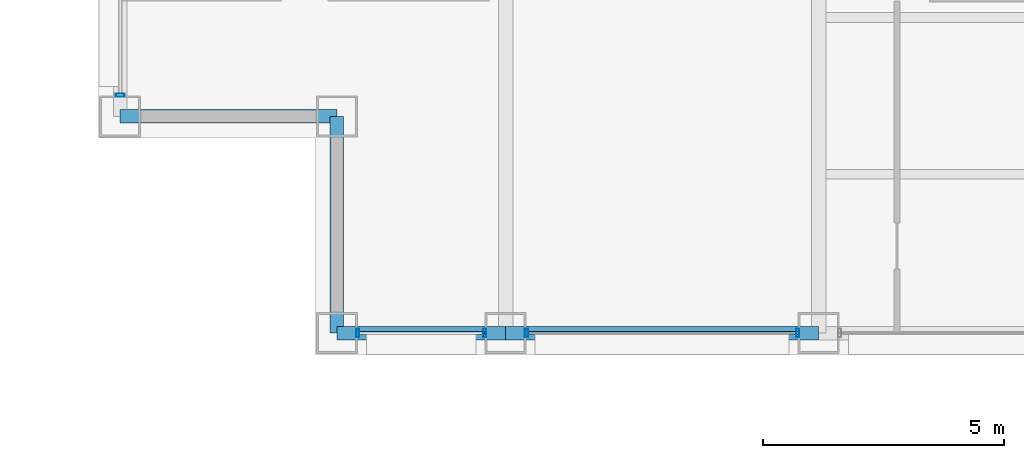
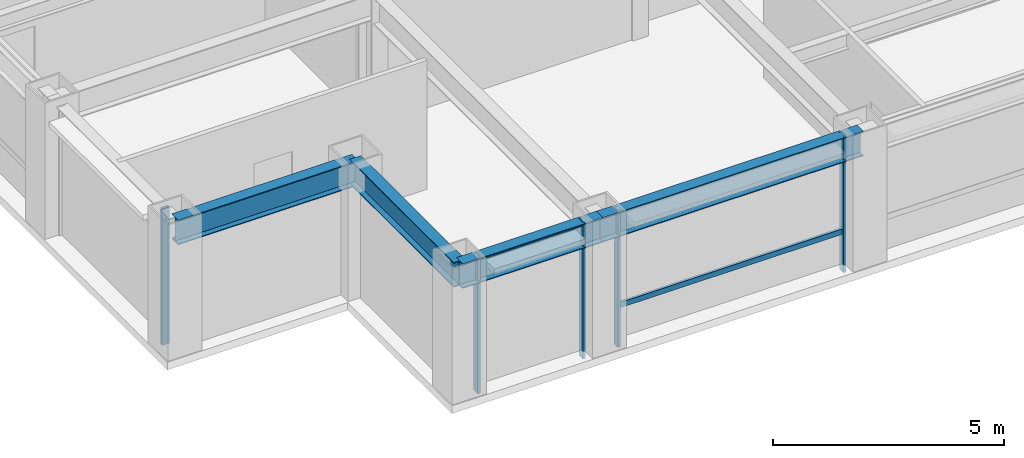
# One storey, part 2 of 31: 7 members, 4 beams, 3 elements without a shape of their own.
"""IFC4 building model written with IfcOpenShell, lengths in metres."""

from ifc_helpers import new_model, si_unit, direction, frame, origin, origin_2d, place, context, subcontext, project, spatial, hollow_rectangle, i_section, extrude, material, layer, layer_set, material_profile, profile_set, type_object, element, aggregate, save


model = new_model("IFC4")

# Units and contexts
model_context = context("Model", 3, precision=1e-05, world=origin(), true_north=direction((0.0, 1.0)))
body_context = subcontext(model_context, "Body", "Model", "MODEL_VIEW")
ifc_project = project(units=[si_unit("LENGTHUNIT", "METRE"), si_unit("AREAUNIT", "SQUARE_METRE"), si_unit("VOLUMEUNIT", "CUBIC_METRE"), si_unit("PLANEANGLEUNIT", "RADIAN"), si_unit("MASSUNIT", "GRAM", prefix="KILO")], contexts=[model_context])

# Site, building, storey
site_placement = place(None, origin())
site = spatial("IfcSite", under=ifc_project, at=site_placement, CompositionType="ELEMENT")
building_placement = place(site_placement, origin())
building = spatial("IfcBuilding", under=site, at=building_placement, Name="Brelmoor Portico Tower", CompositionType="ELEMENT")
storey_placement = place(building_placement, frame((0.0, 0.0, 113.39990234375)))
storey = spatial("IfcBuildingStorey", under=building, at=storey_placement, Name="L29", CompositionType="ELEMENT", Elevation=113.39990234375)

# Beams
ifc_material_1 = material(Name="Steel Q355B", Category="steel")
ifc_material_profile_1 = material_profile(ifc_material_1, i_section(OverallWidth=0.280029296875, OverallDepth=0.64990234375, WebThickness=0.012939453125, FlangeThickness=0.02197265625, at=origin_2d()), Name="HN 650x280x13x22")
ifc_profile_set_1 = profile_set([ifc_material_profile_1], Name="Steel Q355B")
beam_type = type_object("IfcBeamType", Name="BM-SP-650", PredefinedType="SPANDREL", material=ifc_profile_set_1)
beam_1_placement = place(storey_placement, frame((-18.050048828125, -19.550048828125, 3.0751953125), z_axis=(1.0, 0.0, 0.0), x_axis=(0.0, 1.0, 0.0)))
element("IfcBeam", 1, at=beam_1_placement, inside=storey, type_object=beam_type, Name="L29 Perimeter Spandrel Beam SP-01", PredefinedType="SPANDREL", context=body_context, shape_type="SweptSolid", body=[
    extrude(i_section(OverallWidth=0.280029296875, OverallDepth=0.64990234375, WebThickness=0.012939453125, FlangeThickness=0.02197265625, at=origin_2d()), origin(), (0.0, 0.0, 1.0), 3.5),
])
beam_2_placement = place(storey_placement, frame((-14.550048828125, -19.550048828125, 3.0751953125), z_axis=(1.0, 0.0, 0.0), x_axis=(0.0, 1.0, 0.0)))
element("IfcBeam", 2, at=beam_2_placement, inside=storey, type_object=beam_type, Name="L29 Perimeter Spandrel Beam SP-02", PredefinedType="SPANDREL", context=body_context, shape_type="SweptSolid", body=[
    extrude(i_section(OverallWidth=0.280029296875, OverallDepth=0.64990234375, WebThickness=0.012939453125, FlangeThickness=0.02197265625, at=origin_2d()), origin(), (0.0, 0.0, 1.0), 6.5),
])
for number, where, z_axis, x_axis, name in (
    (3, (-22.550048828125, -15.050048828125, 3.0751953125), (1.0, 0.0, 0.0), (0.0, 1.0, 0.0), "L29 Perimeter Spandrel Beam SP-06"),
    (4, (-18.050048828125, -19.550048828125, 3.0751953125), (0.0, 1.0, 0.0), (-1.0, 0.0, 0.0), "L29 Perimeter Spandrel Beam SP-18"),
):
    element("IfcBeam", number, at=place(storey_placement, frame(where, z_axis=z_axis, x_axis=x_axis)), inside=storey, type_object=beam_type, Name=name, PredefinedType="SPANDREL", context=body_context, shape_type="SweptSolid", body=[
        extrude(i_section(OverallWidth=0.280029296875, OverallDepth=0.64990234375, WebThickness=0.012939453125, FlangeThickness=0.02197265625, at=origin_2d()), origin(), (0.0, 0.0, 1.0), 4.5),
    ])

# Curtain wall, members
ifc_material_2 = material(Name="Anodised Aluminium Alloy 6063-T6", Category="aluminium")
ifc_layer_1 = layer(ifc_material_2, 0.179931640625)
ifc_layer_set_1 = layer_set([ifc_layer_1], Name="Anodised Aluminium Alloy 6063-T6")
curtain_wall_type_1 = type_object("IfcCurtainWallType", Name="CW-TOWER-Z2-XB", PredefinedType="NOTDEFINED", material=ifc_layer_set_1)
curtain_wall_1_placement = place(storey_placement, origin())
curtain_wall_1 = element("IfcCurtainWall", 5, at=curtain_wall_1_placement, inside=storey, type_object=curtain_wall_type_1, Name="L29 Curtain Wall CW-L29-1L-1", PredefinedType="NOTDEFINED")
ifc_material_profile_2 = material_profile(ifc_material_2, hollow_rectangle(XDim=0.06494140625, YDim=0.179931640625, WallThickness=0.00390625, at=origin_2d()), Name="ALU MULLION 65x180")
ifc_profile_set_2 = profile_set([ifc_material_profile_2], Name="Anodised Aluminium Alloy 6063-T6")
member_type_1 = type_object("IfcMemberType", Name="MB-CW-MULL-180", PredefinedType="MULLION", material=ifc_profile_set_2)
member_1_placement = place(storey_placement, frame((-17.614990234375, -19.550048828125, -0.199951171875), z_axis=(0.0, 0.0, 1.0), x_axis=(1.0, 0.0, 0.0)))
member_1 = element("IfcMember", 6, at=member_1_placement, type_object=member_type_1, Name="CW-L29-1L-1 Mullion 00", PredefinedType="MULLION", context=body_context, shape_type="SweptSolid", body=[
    extrude(hollow_rectangle(XDim=0.06494140625, YDim=0.179931640625, WallThickness=0.00390625, at=origin_2d()), origin(), (0.0, 0.0, 1.0), 3.60009765625),
])
member_2_placement = place(storey_placement, frame((-14.985107421875, -19.550048828125, -0.199951171875), z_axis=(0.0, 0.0, 1.0), x_axis=(1.0, 0.0, 0.0)))
member_2 = element("IfcMember", 7, at=member_2_placement, type_object=member_type_1, Name="CW-L29-1L-1 Mullion 01", PredefinedType="MULLION", context=body_context, shape_type="SweptSolid", body=[
    extrude(hollow_rectangle(XDim=0.06494140625, YDim=0.179931640625, WallThickness=0.00390625, at=origin_2d()), origin(), (0.0, 0.0, 1.0), 3.60009765625),
])

ifc_layer_2 = layer(ifc_material_2, 0.179931640625)
ifc_layer_set_2 = layer_set([ifc_layer_2], Name="Anodised Aluminium Alloy 6063-T6")
curtain_wall_type_2 = type_object("IfcCurtainWallType", Name="CW-TOWER-Z2", PredefinedType="NOTDEFINED", material=ifc_layer_set_2)
curtain_wall_2_placement = place(storey_placement, origin())
curtain_wall_2 = element("IfcCurtainWall", 8, at=curtain_wall_2_placement, inside=storey, type_object=curtain_wall_type_2, Name="L29 Curtain Wall CW-L29-1L-2", PredefinedType="NOTDEFINED")
member_3_placement = place(storey_placement, frame((-14.114990234375, -19.550048828125, -0.199951171875), z_axis=(0.0, 0.0, 1.0), x_axis=(1.0, 0.0, 0.0)))
member_3 = element("IfcMember", 9, at=member_3_placement, type_object=member_type_1, Name="CW-L29-1L-2 Mullion 00", PredefinedType="MULLION", context=body_context, shape_type="SweptSolid", body=[
    extrude(hollow_rectangle(XDim=0.06494140625, YDim=0.179931640625, WallThickness=0.00390625, at=origin_2d()), origin(), (0.0, 0.0, 1.0), 3.60009765625),
])
member_4_placement = place(storey_placement, frame((-8.485107421875, -19.550048828125, -0.199951171875), z_axis=(0.0, 0.0, 1.0), x_axis=(1.0, 0.0, 0.0)))
member_4 = element("IfcMember", 10, at=member_4_placement, type_object=member_type_1, Name="CW-L29-1L-2 Mullion 01", PredefinedType="MULLION", context=body_context, shape_type="SweptSolid", body=[
    extrude(hollow_rectangle(XDim=0.06494140625, YDim=0.179931640625, WallThickness=0.00390625, at=origin_2d()), origin(), (0.0, 0.0, 1.0), 3.60009765625),
])

# Curtain wall, member
curtain_wall_3_placement = place(storey_placement, origin())
curtain_wall_3 = element("IfcCurtainWall", 11, at=curtain_wall_3_placement, inside=storey, type_object=curtain_wall_type_1, Name="L29 Curtain Wall CW-L29-3L-1", PredefinedType="NOTDEFINED")
member_5_placement = place(storey_placement, frame((-22.550048828125, -14.614990234375, -0.199951171875), z_axis=(0.0, 0.0, 1.0), x_axis=(0.0, 1.0, 0.0)))
member_5 = element("IfcMember", 12, at=member_5_placement, type_object=member_type_1, Name="CW-L29-3L-1 Mullion 00", PredefinedType="MULLION", context=body_context, shape_type="SweptSolid", body=[
    extrude(hollow_rectangle(XDim=0.06494140625, YDim=0.179931640625, WallThickness=0.00390625, at=origin_2d()), origin(), (0.0, 0.0, 1.0), 3.60009765625),
])
aggregate(curtain_wall_3, [member_5])

# Member
ifc_material_profile_3 = material_profile(ifc_material_2, hollow_rectangle(XDim=0.06494140625, YDim=0.139892578125, WallThickness=0.00390625, at=origin_2d()), Name="ALU TRANSOM 65x140")
ifc_profile_set_3 = profile_set([ifc_material_profile_3], Name="Anodised Aluminium Alloy 6063-T6")
member_type_2 = type_object("IfcMemberType", Name="MB-CW-TRAN-140", PredefinedType="USERDEFINED", material=ifc_profile_set_3)
member_6_placement = place(storey_placement, frame((-17.614990234375, -19.550048828125, 3.330078125), z_axis=(1.0, 0.0, 0.0), x_axis=(0.0, 1.0, 0.0)))
member_6 = element("IfcMember", 13, at=member_6_placement, type_object=member_type_2, Name="CW-L29-1L-1 Transom 1-00", ObjectType="TRANSOM", PredefinedType="USERDEFINED", context=body_context, shape_type="SweptSolid", body=[
    extrude(hollow_rectangle(XDim=0.06494140625, YDim=0.139892578125, WallThickness=0.00390625, at=origin_2d()), origin(), (0.0, 0.0, 1.0), 2.6298828125),
])

aggregate(curtain_wall_1, [member_1, member_2, member_6])

member_7_placement = place(storey_placement, frame((-14.114990234375, -19.550048828125, 0.85009765625), z_axis=(1.0, 0.0, 0.0), x_axis=(0.0, 1.0, 0.0)))
member_7 = element("IfcMember", 14, at=member_7_placement, type_object=member_type_2, Name="CW-L29-1L-2 Transom 1-00", ObjectType="TRANSOM", PredefinedType="USERDEFINED", context=body_context, shape_type="SweptSolid", body=[
    extrude(hollow_rectangle(XDim=0.06494140625, YDim=0.139892578125, WallThickness=0.00390625, at=origin_2d()), origin(), (0.0, 0.0, 1.0), 5.6298828125),
])

aggregate(curtain_wall_2, [member_3, member_4, member_7])

save(model, "model.ifc")
